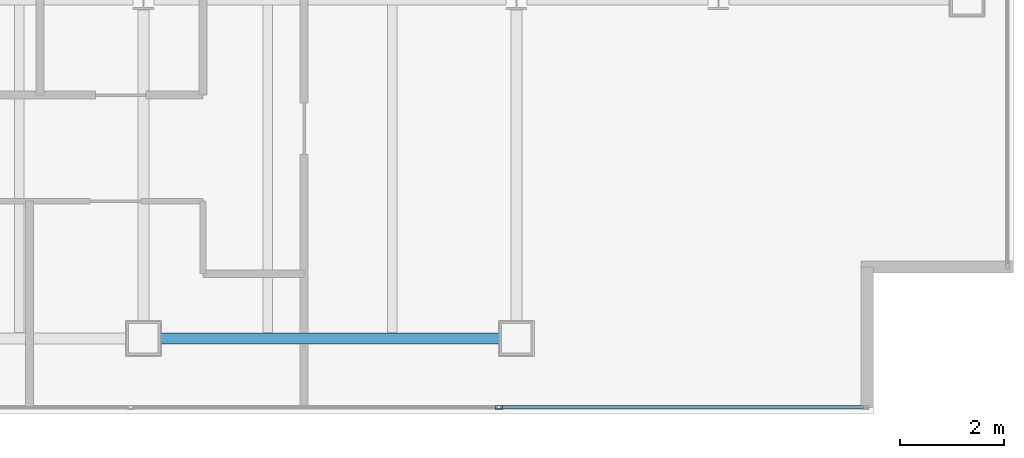
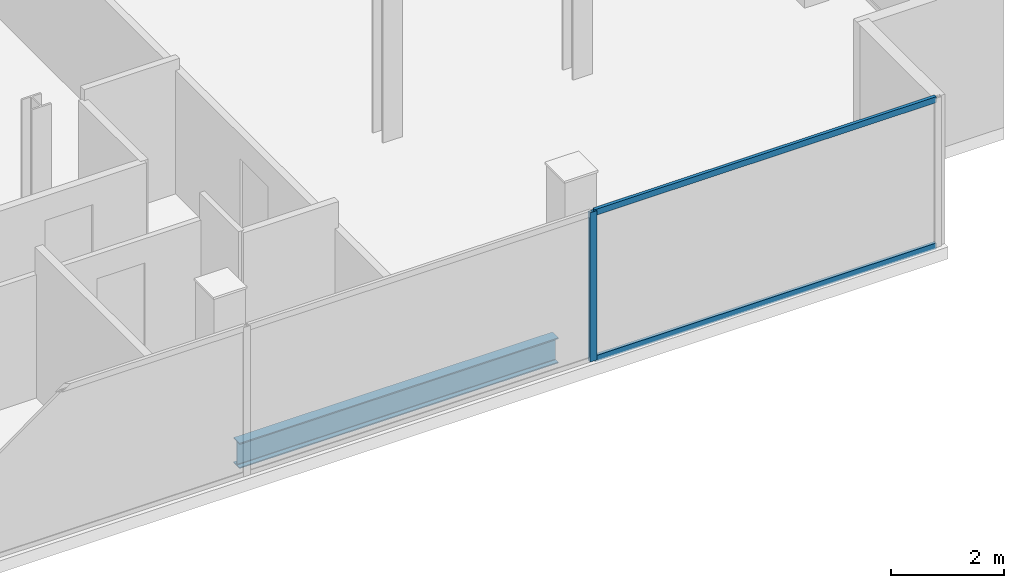
# One storey, part 12 of 24: 3 members, 1 beam, 1 element without a shape of its own.
"""IFC4 building model written with IfcOpenShell, lengths in metres."""

from ifc_helpers import new_model, si_unit, direction, frame, origin, origin_2d, place, context, subcontext, project, spatial, hollow_rectangle, i_section, extrude, material, material_profile, profile_set, type_object, element, aggregate, save


model = new_model("IFC4")

# Units and contexts
model_context = context("Model", 3, precision=1e-05, world=origin(), true_north=direction((0.0, 1.0)))
body_context = subcontext(model_context, "Body", "Model", "MODEL_VIEW")
ifc_project = project(units=[si_unit("LENGTHUNIT", "METRE"), si_unit("AREAUNIT", "SQUARE_METRE"), si_unit("VOLUMEUNIT", "CUBIC_METRE"), si_unit("PLANEANGLEUNIT", "RADIAN"), si_unit("MASSUNIT", "GRAM", prefix="KILO")], contexts=[model_context])

# Site, building, storey
site_placement = place(None, origin())
site = spatial("IfcSite", under=ifc_project, at=site_placement, CompositionType="ELEMENT")
building_placement = place(site_placement, origin())
building = spatial("IfcBuilding", under=site, at=building_placement, Name="Cobrela Telecom Tower", CompositionType="ELEMENT")
storey_placement = place(building_placement, frame((0.0, 0.0, 290.14990234375)))
storey = spatial("IfcBuildingStorey", under=building, at=storey_placement, Name="L76", CompositionType="ELEMENT", Elevation=290.14990234375)

# Beam
ifc_material_1 = material(Name="Steel ASTM A992 Grade 50", Category="steel")
ifc_material_profile_1 = material_profile(ifc_material_1, i_section(OverallWidth=0.212890625, OverallDepth=0.549072265625, WebThickness=0.0146484375, FlangeThickness=0.023681640625, FilletRadius=0.013916015625, at=origin_2d()), Name="W21X93")
ifc_profile_set_1 = profile_set([ifc_material_profile_1], Name="Steel ASTM A992 Grade 50")
beam_type = type_object("IfcBeamType", Name="BM-GIRD-08", PredefinedType="USERDEFINED", material=ifc_profile_set_1)
beam_placement = place(storey_placement, frame((29.1298828125, 7.85009765625, -0.534423828125), z_axis=(1.0, 0.0, 0.0), x_axis=(0.0, 1.0, 0.0)))
element("IfcBeam", 1, at=beam_placement, inside=storey, type_object=beam_type, Name="L76 Primary Girder X04", ObjectType="GIRDER", PredefinedType="USERDEFINED", context=body_context, shape_type="SweptSolid", body=[
    extrude(i_section(OverallWidth=0.212890625, OverallDepth=0.549072265625, WebThickness=0.0146484375, FlangeThickness=0.023681640625, FilletRadius=0.013916015625, at=origin_2d()), origin(), (0.0, 0.0, 1.0), 6.5400390625),
])

# Curtain wall, members
ifc_material_2 = material(Name="Anodized Bronze Aluminium 6063-T6", Category="aluminium")
curtain_wall_type = type_object("IfcCurtainWallType", Name="CW-SYS-OFF-HI", PredefinedType="USERDEFINED", material=ifc_material_2)
curtain_wall_placement = place(storey_placement, origin())
curtain_wall = element("IfcCurtainWall", 2, at=curtain_wall_placement, inside=storey, type_object=curtain_wall_type, Name="L76 Unitised Bronze Curtain Wall 15", ObjectType="UNITISED CURTAIN WALL", PredefinedType="USERDEFINED")
ifc_material_profile_2 = material_profile(ifc_material_2, hollow_rectangle(XDim=0.070068359375, YDim=0.139892578125, WallThickness=0.00390625, at=origin_2d()), Name="ALU 70x140x4")
ifc_profile_set_2 = profile_set([ifc_material_profile_2], Name="Anodized Bronze Aluminium 6063-T6")
member_type_1 = type_object("IfcMemberType", Name="CW-SYS-OFF-HI-MUL", PredefinedType="MULLION", material=ifc_profile_set_2)
member_1_placement = place(storey_placement, frame((35.66162109375, 6.52001953125, 0.0), z_axis=(0.0, 0.0, 1.0), x_axis=(0.0, -1.0, 0.0)))
member_1 = element("IfcMember", 3, at=member_1_placement, type_object=member_type_1, Name="CW-OFF-HI mullion 2", PredefinedType="MULLION", context=body_context, shape_type="SweptSolid", body=[
    extrude(hollow_rectangle(XDim=0.070068359375, YDim=0.139892578125, WallThickness=0.00390625, at=origin_2d()), origin(), (0.0, 0.0, 1.0), 3.239990234375),
])
ifc_material_profile_3 = material_profile(ifc_material_2, hollow_rectangle(XDim=0.06494140625, YDim=0.1298828125, WallThickness=0.00390625, at=origin_2d()), Name="ALU 65x130x4")
ifc_profile_set_3 = profile_set([ifc_material_profile_3], Name="Anodized Bronze Aluminium 6063-T6")
member_type_2 = type_object("IfcMemberType", Name="CW-SYS-OFF-HI-TRN", PredefinedType="USERDEFINED", material=ifc_profile_set_3)
member_2_placement = place(storey_placement, frame((42.699951171875, 6.52001953125, 0.03271484375), z_axis=(-1.0, 0.0, 0.0), x_axis=(0.0, -1.0, 0.0)))
member_2 = element("IfcMember", 4, at=member_2_placement, type_object=member_type_2, Name="CW-OFF-HI transom 1.1", ObjectType="TRANSOM", PredefinedType="USERDEFINED", context=body_context, shape_type="SweptSolid", body=[
    extrude(hollow_rectangle(XDim=0.06494140625, YDim=0.1298828125, WallThickness=0.00390625, at=origin_2d()), origin(), (0.0, 0.0, 1.0), 7.003173828125),
])
member_3_placement = place(storey_placement, frame((42.699951171875, 6.52001953125, 3.20751953125), z_axis=(-1.0, 0.0, 0.0), x_axis=(0.0, -1.0, 0.0)))
member_3 = element("IfcMember", 5, at=member_3_placement, type_object=member_type_2, Name="CW-OFF-HI transom 1.2", ObjectType="TRANSOM", PredefinedType="USERDEFINED", context=body_context, shape_type="SweptSolid", body=[
    extrude(hollow_rectangle(XDim=0.06494140625, YDim=0.1298828125, WallThickness=0.00390625, at=origin_2d()), origin(), (0.0, 0.0, 1.0), 7.003173828125),
])
aggregate(curtain_wall, [member_1, member_2, member_3])

save(model, "model.ifc")
